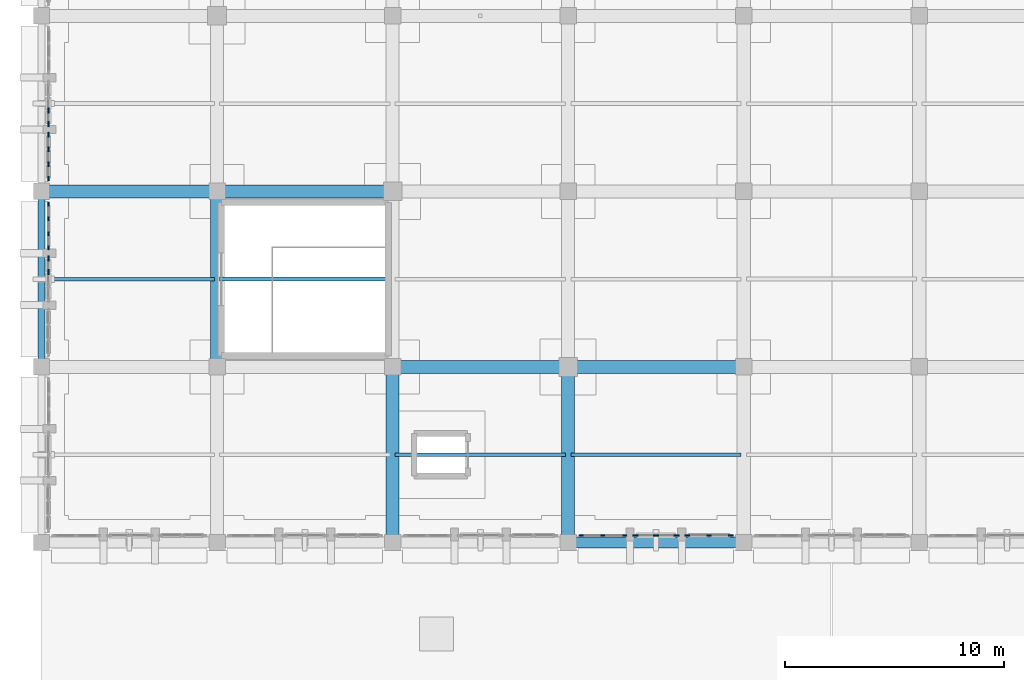
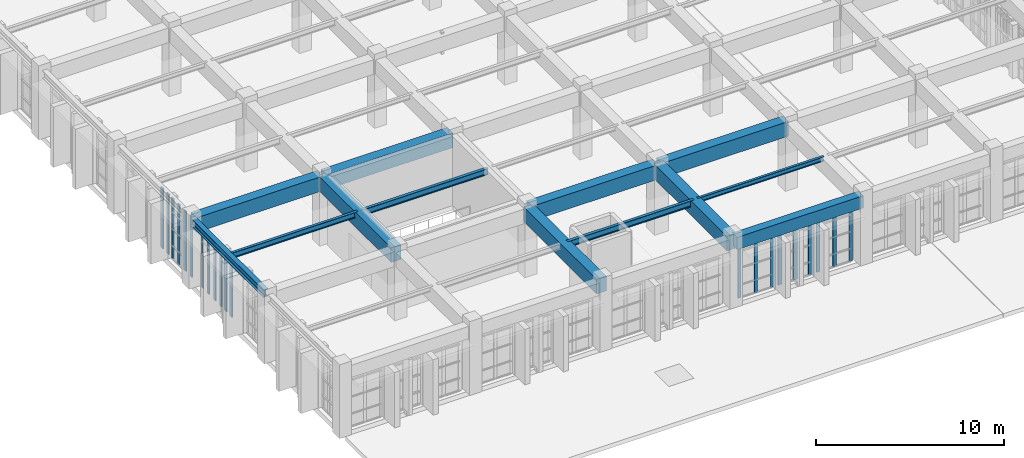
# One storey, part 9 of 155: 21 members, 13 beams, 7 elements without a shape of their own.
"""IFC4 building model written with IfcOpenShell, lengths in metres."""

from ifc_helpers import new_model, si_unit, direction, frame, origin, origin_2d, place, context, subcontext, project, spatial, rectangle, i_section, extrude, material, layer, layer_set, material_profile, profile_set, type_object, element, aggregate, save


model = new_model("IFC4")

# Units and contexts
model_context = context("Model", 3, precision=1e-05, world=origin(), true_north=direction((0.0, 1.0)))
body_context = subcontext(model_context, "Body", "Model", "MODEL_VIEW")
ifc_project = project(units=[si_unit("LENGTHUNIT", "METRE"), si_unit("AREAUNIT", "SQUARE_METRE"), si_unit("VOLUMEUNIT", "CUBIC_METRE"), si_unit("PLANEANGLEUNIT", "RADIAN"), si_unit("MASSUNIT", "GRAM", prefix="KILO")], contexts=[model_context])

# Site, building, storey
site_placement = place(None, origin())
site = spatial("IfcSite", under=ifc_project, at=site_placement, CompositionType="ELEMENT")
building_placement = place(site_placement, origin())
building = spatial("IfcBuilding", under=site, at=building_placement, Name="Tazarka Park Arena", CompositionType="ELEMENT")
storey_placement = place(building_placement, frame((0.0, 0.0, 5.39990234375)))
storey = spatial("IfcBuildingStorey", under=building, at=storey_placement, Name="L01", CompositionType="ELEMENT", Elevation=5.39990234375)

# Beams
ifc_material_1 = material(Name="Concrete C40/50", Category="concrete")
ifc_material_profile_1 = material_profile(ifc_material_1, rectangle(XDim=0.60009765625, YDim=0.949951171875, at=origin_2d()), Name="Concrete C40/50")
ifc_profile_set_1 = profile_set([ifc_material_profile_1], Name="Concrete C40/50")
beam_type_1 = type_object("IfcBeamType", Name="BM-B-03", PredefinedType="BEAM", material=ifc_profile_set_1)
for number, where, z_axis, x_axis, name in (
    (1, (0.1201171875, 24.0, 3.945068359375), (1.0, 0.0, 0.0), (0.0, 1.0, 0.0), "GXM-L01-00-03"),
    (2, (8.0, 16.1201171875, 3.945068359375), (0.0, 1.0, 0.0), (-1.0, 0.0, 0.0), "GYM-L01-01-02"),
    (3, (8.1201171875, 24.0, 3.945068359375), (1.0, 0.0, 0.0), (0.0, 1.0, 0.0), "GXM-L01-01-03"),
    (4, (16.0, 8.1201171875, 3.945068359375), (0.0, 1.0, 0.0), (-1.0, 0.0, 0.0), "GYM-L01-02-01"),
    (5, (16.1201171875, 16.0, 3.945068359375), (1.0, 0.0, 0.0), (0.0, 1.0, 0.0), "GXM-L01-02-02"),
    (6, (24.0, 8.1201171875, 3.945068359375), (0.0, 1.0, 0.0), (-1.0, 0.0, 0.0), "GYM-L01-03-01"),
    (7, (24.1201171875, 16.0, 3.945068359375), (1.0, 0.0, 0.0), (0.0, 1.0, 0.0), "GXM-L01-03-02"),
):
    element("IfcBeam", number, at=place(storey_placement, frame(where, z_axis=z_axis, x_axis=x_axis)), inside=storey, type_object=beam_type_1, Name=name, PredefinedType="BEAM", context=body_context, shape_type="SweptSolid", body=[
        extrude(rectangle(XDim=0.60009765625, YDim=0.949951171875, at=origin_2d()), origin(), (0.0, 0.0, 1.0), 7.759765625),
    ])
ifc_material_2 = material(Name="Steel S355", Category="steel")
ifc_material_profile_2 = material_profile(ifc_material_2, i_section(OverallWidth=0.14990234375, OverallDepth=0.300048828125, WebThickness=0.007080078125, FlangeThickness=0.0107421875, FilletRadius=0.014892578125, at=origin_2d()), Name="Steel S355")
ifc_profile_set_2 = profile_set([ifc_material_profile_2], Name="Steel S355")
beam_type_2 = type_object("IfcBeamType", Name="BM-J-01", PredefinedType="JOIST", material=ifc_profile_set_2)
beam_1_placement = place(storey_placement, frame((24.1201171875, 12.0, 4.27001953125), z_axis=(1.0, 0.0, 0.0), x_axis=(0.0, 1.0, 0.0)))
element("IfcBeam", 8, at=beam_1_placement, inside=storey, type_object=beam_type_2, Name="JST-L01-03-01", PredefinedType="JOIST", context=body_context, shape_type="SweptSolid", body=[
    extrude(i_section(OverallWidth=0.14990234375, OverallDepth=0.300048828125, WebThickness=0.007080078125, FlangeThickness=0.0107421875, FilletRadius=0.014892578125, at=origin_2d()), origin(), (0.0, 0.0, 1.0), 7.759765625),
])
ifc_material_3 = material(Name="Steel S355", Category="steel")
ifc_material_profile_3 = material_profile(ifc_material_3, i_section(OverallWidth=0.169921875, OverallDepth=0.360107421875, WebThickness=0.008056640625, FlangeThickness=0.0126953125, FilletRadius=0.01806640625, at=origin_2d()), Name="Steel S355")
ifc_profile_set_3 = profile_set([ifc_material_profile_3], Name="Steel S355")
beam_type_3 = type_object("IfcBeamType", Name="BM-J-02", PredefinedType="JOIST", material=ifc_profile_set_3)
beam_2_placement = place(storey_placement, frame((0.1201171875, 20.0, 4.239990234375), z_axis=(1.0, 0.0, 0.0), x_axis=(0.0, 1.0, 0.0)))
element("IfcBeam", 9, at=beam_2_placement, inside=storey, type_object=beam_type_3, Name="JST-L01-00-02", PredefinedType="JOIST", context=body_context, shape_type="SweptSolid", body=[
    extrude(i_section(OverallWidth=0.169921875, OverallDepth=0.360107421875, WebThickness=0.008056640625, FlangeThickness=0.0126953125, FilletRadius=0.01806640625, at=origin_2d()), origin(), (0.0, 0.0, 1.0), 7.759765625),
])
ifc_material_4 = material(Name="Steel S355", Category="steel")
ifc_material_profile_4 = material_profile(ifc_material_4, i_section(OverallWidth=0.179931640625, OverallDepth=0.39990234375, WebThickness=0.008544921875, FlangeThickness=0.013427734375, FilletRadius=0.02099609375, at=origin_2d()), Name="Steel S355")
ifc_profile_set_4 = profile_set([ifc_material_profile_4], Name="Steel S355")
beam_type_4 = type_object("IfcBeamType", Name="BM-J-03", PredefinedType="JOIST", material=ifc_profile_set_4)
for number, where, z_axis, x_axis, name in (
    (10, (8.1201171875, 20.0, 4.22021484375), (1.0, 0.0, 0.0), (0.0, 1.0, 0.0), "JST-L01-01-02"),
    (11, (16.1201171875, 12.0, 4.22021484375), (1.0, 0.0, 0.0), (0.0, 1.0, 0.0), "JST-L01-02-01"),
):
    element("IfcBeam", number, at=place(storey_placement, frame(where, z_axis=z_axis, x_axis=x_axis)), inside=storey, type_object=beam_type_4, Name=name, PredefinedType="JOIST", context=body_context, shape_type="SweptSolid", body=[
        extrude(i_section(OverallWidth=0.179931640625, OverallDepth=0.39990234375, WebThickness=0.008544921875, FlangeThickness=0.013427734375, FilletRadius=0.02099609375, at=origin_2d()), origin(), (0.0, 0.0, 1.0), 7.759765625),
    ])
ifc_material_5 = material(Name="Concrete C40/50", Category="concrete")
ifc_material_profile_5 = material_profile(ifc_material_5, rectangle(XDim=0.5, YDim=0.800048828125, at=origin_2d()), Name="Concrete C40/50")
ifc_profile_set_5 = profile_set([ifc_material_profile_5], Name="Concrete C40/50")
beam_type_5 = type_object("IfcBeamType", Name="BM-SP-01", PredefinedType="SPANDREL", material=ifc_profile_set_5)
beam_3_placement = place(storey_placement, frame((24.1201171875, 8.0, 4.02001953125), z_axis=(1.0, 0.0, 0.0), x_axis=(0.0, 1.0, 0.0)))
element("IfcBeam", 12, at=beam_3_placement, inside=storey, type_object=beam_type_5, Name="GXM-L01-03-01", PredefinedType="SPANDREL", context=body_context, shape_type="SweptSolid", body=[
    extrude(rectangle(XDim=0.5, YDim=0.800048828125, at=origin_2d()), origin(), (0.0, 0.0, 1.0), 7.759765625),
])
ifc_material_6 = material(Name="Steel S355", Category="steel")
ifc_material_profile_6 = material_profile(ifc_material_6, i_section(OverallWidth=0.300048828125, OverallDepth=0.489990234375, WebThickness=0.011962890625, FlangeThickness=0.02294921875, FilletRadius=0.027099609375, at=origin_2d()), Name="Steel S355")
ifc_profile_set_6 = profile_set([ifc_material_profile_6], Name="Steel S355")
beam_type_6 = type_object("IfcBeamType", Name="BM-SP-02", PredefinedType="SPANDREL", material=ifc_profile_set_6)
beam_4_placement = place(storey_placement, frame((0.0, 16.1201171875, 4.175048828125), z_axis=(0.0, 1.0, 0.0), x_axis=(-1.0, 0.0, 0.0)))
element("IfcBeam", 13, at=beam_4_placement, inside=storey, type_object=beam_type_6, Name="GYM-L01-00-02", PredefinedType="SPANDREL", context=body_context, shape_type="SweptSolid", body=[
    extrude(i_section(OverallWidth=0.300048828125, OverallDepth=0.489990234375, WebThickness=0.011962890625, FlangeThickness=0.02294921875, FilletRadius=0.027099609375, at=origin_2d()), origin(), (0.0, 0.0, 1.0), 7.759765625),
])

# Curtain wall, members
ifc_material_7 = material(Name="Aluminium and low-e glass", Category="aluminium")
ifc_layer_1 = layer(ifc_material_7, 0.179931640625, Name="Aluminium and low-e glass")
ifc_layer_set_1 = layer_set([ifc_layer_1], Name="Aluminium and low-e glass")
curtain_wall_type_1 = type_object("IfcCurtainWallType", Name="CW-06", PredefinedType="NOTDEFINED", material=ifc_layer_set_1)
curtain_wall_1_placement = place(storey_placement, origin())
curtain_wall_1 = element("IfcCurtainWall", 14, at=curtain_wall_1_placement, inside=storey, type_object=curtain_wall_type_1, Name="Curtain Wall CWA-L01-066", PredefinedType="NOTDEFINED")
ifc_material_8 = material(Name="Aluminium 6060-T66", Category="aluminium")
ifc_material_profile_7 = material_profile(ifc_material_8, rectangle(XDim=0.06494140625, YDim=0.179931640625, at=origin_2d()), Name="Aluminium 6060-T66")
ifc_profile_set_7 = profile_set([ifc_material_profile_7], Name="Aluminium 6060-T66")
member_type_1 = type_object("IfcMemberType", Name="CWM-01", PredefinedType="MULLION", material=ifc_profile_set_7)
member_1_placement = place(storey_placement, frame((0.320068359375, 21.42431640625, 0.0), z_axis=(0.0, 0.0, 1.0), x_axis=(-1.0, 0.0, 0.0)))
member_1 = element("IfcMember", 15, at=member_1_placement, type_object=member_type_1, Name="CW-06 mullion 1", PredefinedType="MULLION", context=body_context, shape_type="SweptSolid", body=[
    extrude(rectangle(XDim=0.06494140625, YDim=0.179931640625, at=origin_2d()), origin(), (0.0, 0.0, 1.0), 3.91015625),
])
member_2_placement = place(storey_placement, frame((0.320068359375, 22.076171875, 0.0), z_axis=(0.0, 0.0, 1.0), x_axis=(-1.0, 0.0, 0.0)))
member_2 = element("IfcMember", 16, at=member_2_placement, type_object=member_type_1, Name="CW-06 mullion 2", PredefinedType="MULLION", context=body_context, shape_type="SweptSolid", body=[
    extrude(rectangle(XDim=0.06494140625, YDim=0.179931640625, at=origin_2d()), origin(), (0.0, 0.0, 1.0), 3.91015625),
])
member_3_placement = place(storey_placement, frame((0.320068359375, 22.760498046875, 0.0), z_axis=(0.0, 0.0, 1.0), x_axis=(-1.0, 0.0, 0.0)))
member_3 = element("IfcMember", 17, at=member_3_placement, type_object=member_type_1, Name="CW-06 mullion 3", PredefinedType="MULLION", context=body_context, shape_type="SweptSolid", body=[
    extrude(rectangle(XDim=0.06494140625, YDim=0.179931640625, at=origin_2d()), origin(), (0.0, 0.0, 1.0), 3.91015625),
])
member_4_placement = place(storey_placement, frame((0.320068359375, 23.41259765625, 0.0), z_axis=(0.0, 0.0, 1.0), x_axis=(-1.0, 0.0, 0.0)))
member_4 = element("IfcMember", 18, at=member_4_placement, type_object=member_type_1, Name="CW-06 mullion 4", PredefinedType="MULLION", context=body_context, shape_type="SweptSolid", body=[
    extrude(rectangle(XDim=0.06494140625, YDim=0.179931640625, at=origin_2d()), origin(), (0.0, 0.0, 1.0), 3.91015625),
])
aggregate(curtain_wall_1, [member_1, member_2, member_3, member_4])

ifc_material_9 = material(Name="Aluminium and low-e glass", Category="aluminium")
ifc_layer_2 = layer(ifc_material_9, 0.179931640625, Name="Aluminium and low-e glass")
ifc_layer_set_2 = layer_set([ifc_layer_2], Name="Aluminium and low-e glass")
curtain_wall_type_2 = type_object("IfcCurtainWallType", Name="CW-21", PredefinedType="NOTDEFINED", material=ifc_layer_set_2)
curtain_wall_2_placement = place(storey_placement, origin())
curtain_wall_2 = element("IfcCurtainWall", 19, at=curtain_wall_2_placement, inside=storey, type_object=curtain_wall_type_2, Name="Curtain Wall CWA-L01-081", PredefinedType="NOTDEFINED")
member_5_placement = place(storey_placement, frame((26.57568359375, 8.320068359375, 0.0), z_axis=(0.0, 0.0, 1.0), x_axis=(0.0, -1.0, 0.0)))
member_5 = element("IfcMember", 20, at=member_5_placement, type_object=member_type_1, Name="CW-21 mullion 1", PredefinedType="MULLION", context=body_context, shape_type="SweptSolid", body=[
    extrude(rectangle(XDim=0.06494140625, YDim=0.179931640625, at=origin_2d()), origin(), (0.0, 0.0, 1.0), 3.60009765625),
])
member_6_placement = place(storey_placement, frame((25.58154296875, 8.320068359375, 0.0), z_axis=(0.0, 0.0, 1.0), x_axis=(0.0, -1.0, 0.0)))
member_6 = element("IfcMember", 21, at=member_6_placement, type_object=member_type_1, Name="CW-21 mullion 2", PredefinedType="MULLION", context=body_context, shape_type="SweptSolid", body=[
    extrude(rectangle(XDim=0.06494140625, YDim=0.179931640625, at=origin_2d()), origin(), (0.0, 0.0, 1.0), 3.60009765625),
])
member_7_placement = place(storey_placement, frame((24.58740234375, 8.320068359375, 0.0), z_axis=(0.0, 0.0, 1.0), x_axis=(0.0, -1.0, 0.0)))
member_7 = element("IfcMember", 22, at=member_7_placement, type_object=member_type_1, Name="CW-21 mullion 3", PredefinedType="MULLION", context=body_context, shape_type="SweptSolid", body=[
    extrude(rectangle(XDim=0.06494140625, YDim=0.179931640625, at=origin_2d()), origin(), (0.0, 0.0, 1.0), 3.60009765625),
])
aggregate(curtain_wall_2, [member_5, member_6, member_7])

ifc_material_10 = material(Name="Aluminium and low-e glass", Category="aluminium")
ifc_layer_3 = layer(ifc_material_10, 0.179931640625, Name="Aluminium and low-e glass")
ifc_layer_set_3 = layer_set([ifc_layer_3], Name="Aluminium and low-e glass")
curtain_wall_type_3 = type_object("IfcCurtainWallType", Name="CW-01", PredefinedType="NOTDEFINED", material=ifc_layer_set_3)
curtain_wall_3_placement = place(storey_placement, origin())
curtain_wall_3 = element("IfcCurtainWall", 23, at=curtain_wall_3_placement, inside=storey, type_object=curtain_wall_type_3, Name="Curtain Wall CWA-L01-061", PredefinedType="NOTDEFINED")
ifc_material_11 = material(Name="Aluminium 6060-T66", Category="aluminium")
ifc_material_profile_8 = material_profile(ifc_material_11, rectangle(XDim=0.06494140625, YDim=0.219970703125, at=origin_2d()), Name="Aluminium 6060-T66")
ifc_profile_set_8 = profile_set([ifc_material_profile_8], Name="Aluminium 6060-T66")
member_type_2 = type_object("IfcMemberType", Name="CWM-02", PredefinedType="MULLION", material=ifc_profile_set_8)
member_8_placement = place(storey_placement, frame((0.320068359375, 24.58740234375, 0.0), z_axis=(0.0, 0.0, 1.0), x_axis=(-1.0, 0.0, 0.0)))
member_8 = element("IfcMember", 24, at=member_8_placement, type_object=member_type_2, Name="CW-01 mullion 1", PredefinedType="MULLION", context=body_context, shape_type="SweptSolid", body=[
    extrude(rectangle(XDim=0.06494140625, YDim=0.219970703125, at=origin_2d()), origin(), (0.0, 0.0, 1.0), 3.91015625),
])
member_9_placement = place(storey_placement, frame((0.320068359375, 25.239501953125, 0.0), z_axis=(0.0, 0.0, 1.0), x_axis=(-1.0, 0.0, 0.0)))
member_9 = element("IfcMember", 25, at=member_9_placement, type_object=member_type_2, Name="CW-01 mullion 2", PredefinedType="MULLION", context=body_context, shape_type="SweptSolid", body=[
    extrude(rectangle(XDim=0.06494140625, YDim=0.219970703125, at=origin_2d()), origin(), (0.0, 0.0, 1.0), 3.91015625),
])
member_10_placement = place(storey_placement, frame((0.320068359375, 25.923828125, 0.0), z_axis=(0.0, 0.0, 1.0), x_axis=(-1.0, 0.0, 0.0)))
member_10 = element("IfcMember", 26, at=member_10_placement, type_object=member_type_2, Name="CW-01 mullion 3", PredefinedType="MULLION", context=body_context, shape_type="SweptSolid", body=[
    extrude(rectangle(XDim=0.06494140625, YDim=0.219970703125, at=origin_2d()), origin(), (0.0, 0.0, 1.0), 3.91015625),
])
member_11_placement = place(storey_placement, frame((0.320068359375, 26.57568359375, 0.0), z_axis=(0.0, 0.0, 1.0), x_axis=(-1.0, 0.0, 0.0)))
member_11 = element("IfcMember", 27, at=member_11_placement, type_object=member_type_2, Name="CW-01 mullion 4", PredefinedType="MULLION", context=body_context, shape_type="SweptSolid", body=[
    extrude(rectangle(XDim=0.06494140625, YDim=0.219970703125, at=origin_2d()), origin(), (0.0, 0.0, 1.0), 3.91015625),
])
aggregate(curtain_wall_3, [member_8, member_9, member_10, member_11])

ifc_material_12 = material(Name="Aluminium and low-e glass", Category="aluminium")
ifc_layer_4 = layer(ifc_material_12, 0.179931640625, Name="Aluminium and low-e glass")
ifc_layer_set_4 = layer_set([ifc_layer_4], Name="Aluminium and low-e glass")
curtain_wall_type_4 = type_object("IfcCurtainWallType", Name="CW-19", PredefinedType="NOTDEFINED", material=ifc_layer_set_4)
curtain_wall_4_placement = place(storey_placement, origin())
curtain_wall_4 = element("IfcCurtainWall", 28, at=curtain_wall_4_placement, inside=storey, type_object=curtain_wall_type_4, Name="Curtain Wall CWA-L01-079", PredefinedType="NOTDEFINED")
member_12_placement = place(storey_placement, frame((31.41259765625, 8.320068359375, 0.0), z_axis=(0.0, 0.0, 1.0), x_axis=(0.0, -1.0, 0.0)))
member_12 = element("IfcMember", 29, at=member_12_placement, type_object=member_type_2, Name="CW-19 mullion 1", PredefinedType="MULLION", context=body_context, shape_type="SweptSolid", body=[
    extrude(rectangle(XDim=0.06494140625, YDim=0.219970703125, at=origin_2d()), origin(), (0.0, 0.0, 1.0), 3.60009765625),
])
member_13_placement = place(storey_placement, frame((30.41845703125, 8.320068359375, 0.0), z_axis=(0.0, 0.0, 1.0), x_axis=(0.0, -1.0, 0.0)))
member_13 = element("IfcMember", 30, at=member_13_placement, type_object=member_type_2, Name="CW-19 mullion 2", PredefinedType="MULLION", context=body_context, shape_type="SweptSolid", body=[
    extrude(rectangle(XDim=0.06494140625, YDim=0.219970703125, at=origin_2d()), origin(), (0.0, 0.0, 1.0), 3.60009765625),
])
member_14_placement = place(storey_placement, frame((29.42431640625, 8.320068359375, 0.0), z_axis=(0.0, 0.0, 1.0), x_axis=(0.0, -1.0, 0.0)))
member_14 = element("IfcMember", 31, at=member_14_placement, type_object=member_type_2, Name="CW-19 mullion 3", PredefinedType="MULLION", context=body_context, shape_type="SweptSolid", body=[
    extrude(rectangle(XDim=0.06494140625, YDim=0.219970703125, at=origin_2d()), origin(), (0.0, 0.0, 1.0), 3.60009765625),
])
aggregate(curtain_wall_4, [member_12, member_13, member_14])

ifc_material_13 = material(Name="Aluminium and low-e glass", Category="aluminium")
ifc_layer_5 = layer(ifc_material_13, 0.179931640625, Name="Aluminium and low-e glass")
ifc_layer_set_5 = layer_set([ifc_layer_5], Name="Aluminium and low-e glass")
curtain_wall_type_5 = type_object("IfcCurtainWallType", Name="CW-02", PredefinedType="NOTDEFINED", material=ifc_layer_set_5)
curtain_wall_5_placement = place(storey_placement, origin())
curtain_wall_5 = element("IfcCurtainWall", 32, at=curtain_wall_5_placement, inside=storey, type_object=curtain_wall_type_5, Name="Curtain Wall CWA-L01-062", PredefinedType="NOTDEFINED")
ifc_material_14 = material(Name="Aluminium 6060-T66", Category="aluminium")
ifc_material_profile_9 = material_profile(ifc_material_14, rectangle(XDim=0.074951171875, YDim=0.25, at=origin_2d()), Name="Aluminium 6060-T66")
ifc_profile_set_9 = profile_set([ifc_material_profile_9], Name="Aluminium 6060-T66")
member_type_3 = type_object("IfcMemberType", Name="CWM-03", PredefinedType="MULLION", material=ifc_profile_set_9)
member_15_placement = place(storey_placement, frame((0.320068359375, 27.06591796875, 0.0), z_axis=(0.0, 0.0, 1.0), x_axis=(-1.0, 0.0, 0.0)))
member_15 = element("IfcMember", 33, at=member_15_placement, type_object=member_type_3, Name="CW-02 mullion 1", PredefinedType="MULLION", context=body_context, shape_type="SweptSolid", body=[
    extrude(rectangle(XDim=0.074951171875, YDim=0.25, at=origin_2d()), origin(), (0.0, 0.0, 1.0), 3.91015625),
])
member_16_placement = place(storey_placement, frame((0.320068359375, 27.676025390625, 0.0), z_axis=(0.0, 0.0, 1.0), x_axis=(-1.0, 0.0, 0.0)))
member_16 = element("IfcMember", 34, at=member_16_placement, type_object=member_type_3, Name="CW-02 mullion 2", PredefinedType="MULLION", context=body_context, shape_type="SweptSolid", body=[
    extrude(rectangle(XDim=0.074951171875, YDim=0.25, at=origin_2d()), origin(), (0.0, 0.0, 1.0), 3.91015625),
])
aggregate(curtain_wall_5, [member_15, member_16])

ifc_material_15 = material(Name="Aluminium and low-e glass", Category="aluminium")
ifc_layer_6 = layer(ifc_material_15, 0.179931640625, Name="Aluminium and low-e glass")
ifc_layer_set_6 = layer_set([ifc_layer_6], Name="Aluminium and low-e glass")
curtain_wall_type_6 = type_object("IfcCurtainWallType", Name="CW-05", PredefinedType="NOTDEFINED", material=ifc_layer_set_6)
curtain_wall_6_placement = place(storey_placement, origin())
curtain_wall_6 = element("IfcCurtainWall", 35, at=curtain_wall_6_placement, inside=storey, type_object=curtain_wall_type_6, Name="Curtain Wall CWA-L01-065", PredefinedType="NOTDEFINED")
member_17_placement = place(storey_placement, frame((0.320068359375, 20.323974609375, 0.0), z_axis=(0.0, 0.0, 1.0), x_axis=(-1.0, 0.0, 0.0)))
member_17 = element("IfcMember", 36, at=member_17_placement, type_object=member_type_3, Name="CW-05 mullion 3", PredefinedType="MULLION", context=body_context, shape_type="SweptSolid", body=[
    extrude(rectangle(XDim=0.074951171875, YDim=0.25, at=origin_2d()), origin(), (0.0, 0.0, 1.0), 3.91015625),
])
member_18_placement = place(storey_placement, frame((0.320068359375, 20.93408203125, 0.0), z_axis=(0.0, 0.0, 1.0), x_axis=(-1.0, 0.0, 0.0)))
member_18 = element("IfcMember", 37, at=member_18_placement, type_object=member_type_3, Name="CW-05 mullion 4", PredefinedType="MULLION", context=body_context, shape_type="SweptSolid", body=[
    extrude(rectangle(XDim=0.074951171875, YDim=0.25, at=origin_2d()), origin(), (0.0, 0.0, 1.0), 3.91015625),
])
aggregate(curtain_wall_6, [member_17, member_18])

ifc_material_16 = material(Name="Aluminium and low-e glass", Category="aluminium")
ifc_layer_7 = layer(ifc_material_16, 0.179931640625, Name="Aluminium and low-e glass")
ifc_layer_set_7 = layer_set([ifc_layer_7], Name="Aluminium and low-e glass")
curtain_wall_type_7 = type_object("IfcCurtainWallType", Name="CW-20", PredefinedType="NOTDEFINED", material=ifc_layer_set_7)
curtain_wall_7_placement = place(storey_placement, origin())
curtain_wall_7 = element("IfcCurtainWall", 38, at=curtain_wall_7_placement, inside=storey, type_object=curtain_wall_type_7, Name="Curtain Wall CWA-L01-080", PredefinedType="NOTDEFINED")
member_19_placement = place(storey_placement, frame((28.93408203125, 8.320068359375, 0.0), z_axis=(0.0, 0.0, 1.0), x_axis=(0.0, -1.0, 0.0)))
member_19 = element("IfcMember", 39, at=member_19_placement, type_object=member_type_3, Name="CW-20 mullion 1", PredefinedType="MULLION", context=body_context, shape_type="SweptSolid", body=[
    extrude(rectangle(XDim=0.074951171875, YDim=0.25, at=origin_2d()), origin(), (0.0, 0.0, 1.0), 3.60009765625),
])
member_20_placement = place(storey_placement, frame((28.0, 8.320068359375, 0.0), z_axis=(0.0, 0.0, 1.0), x_axis=(0.0, -1.0, 0.0)))
member_20 = element("IfcMember", 40, at=member_20_placement, type_object=member_type_3, Name="CW-20 mullion 2", PredefinedType="MULLION", context=body_context, shape_type="SweptSolid", body=[
    extrude(rectangle(XDim=0.074951171875, YDim=0.25, at=origin_2d()), origin(), (0.0, 0.0, 1.0), 3.60009765625),
])
member_21_placement = place(storey_placement, frame((27.06591796875, 8.320068359375, 0.0), z_axis=(0.0, 0.0, 1.0), x_axis=(0.0, -1.0, 0.0)))
member_21 = element("IfcMember", 41, at=member_21_placement, type_object=member_type_3, Name="CW-20 mullion 3", PredefinedType="MULLION", context=body_context, shape_type="SweptSolid", body=[
    extrude(rectangle(XDim=0.074951171875, YDim=0.25, at=origin_2d()), origin(), (0.0, 0.0, 1.0), 3.60009765625),
])
aggregate(curtain_wall_7, [member_19, member_20, member_21])

save(model, "model.ifc")
